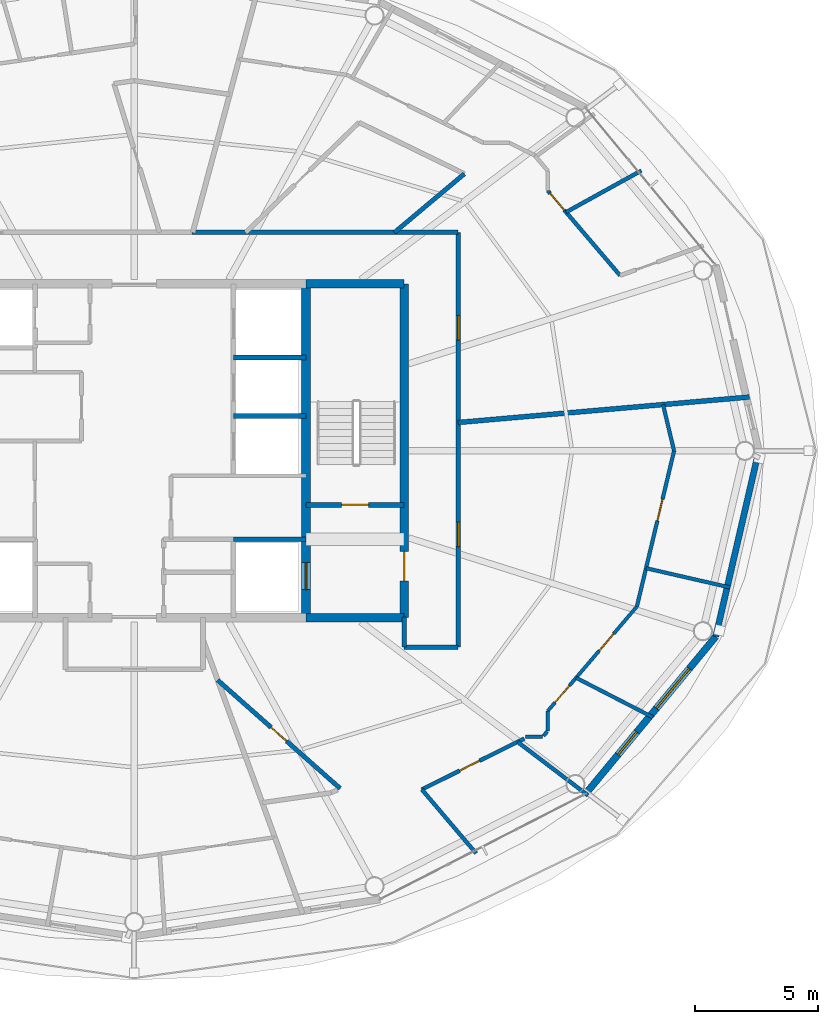
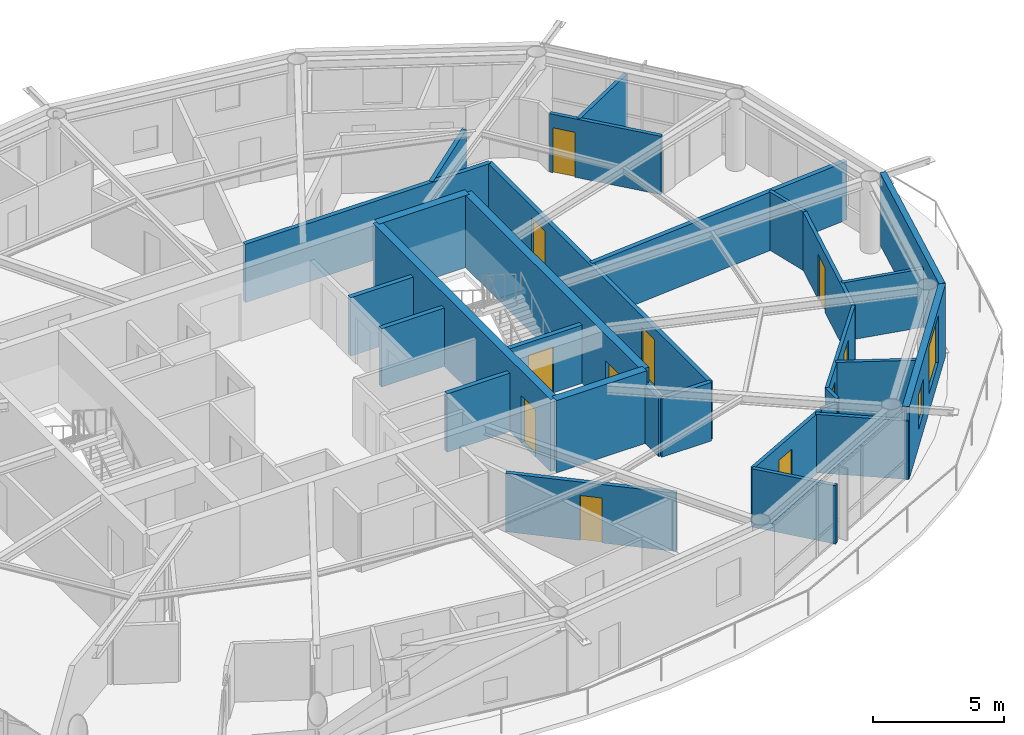
# One storey, part 18 of 23: 30 walls, 11 doors, 2 windows, 13 openings.
"""IFC4 building model written with IfcOpenShell, lengths in metres."""

from ifc_helpers import new_model, si_unit, direction, frame, frame_2d, origin, place, context, subcontext, project, spatial, rectangle, extrude, material, layer, layer_set, type_object, element, fill, save


model = new_model("IFC4")

# Units and contexts
model_context = context("Model", 3, precision=1e-05, world=origin(), true_north=direction((0.0, 1.0)))
body_context = subcontext(model_context, "Body", "Model", "MODEL_VIEW")
ifc_project = project(units=[si_unit("LENGTHUNIT", "METRE"), si_unit("AREAUNIT", "SQUARE_METRE"), si_unit("VOLUMEUNIT", "CUBIC_METRE"), si_unit("PLANEANGLEUNIT", "RADIAN"), si_unit("MASSUNIT", "GRAM", prefix="KILO")], contexts=[model_context])

# Site, building, storey
site_placement = place(None, origin())
site = spatial("IfcSite", under=ifc_project, at=site_placement, CompositionType="ELEMENT")
building_placement = place(site_placement, origin())
building = spatial("IfcBuilding", under=site, at=building_placement, Name="Sarneth Arch Tower", CompositionType="ELEMENT")
storey_placement = place(building_placement, frame((0.0, 0.0, 280.199951171875)))
storey = spatial("IfcBuildingStorey", under=building, at=storey_placement, Name="L72", CompositionType="ELEMENT", Elevation=280.199951171875)

# Walls
ifc_material_1 = material(Name="Concrete C50/60", Category="concrete")
ifc_layer_1 = layer(ifc_material_1, 0.35009765625)
ifc_layer_set_1 = layer_set([ifc_layer_1], Name="Concrete C50/60")
wall_type_1 = type_object("IfcWallType", Name="WALL-CORE-350", PredefinedType="SHEAR", material=ifc_layer_set_1)
for number, where, z_axis, x_axis, name in (
    (1, (55.0, 35.199951171875, 0.0), (0.0, 0.0, 1.0), (1.0, 0.0, 0.0), "L72 Core shear wall S-E"),
    (2, (55.0, 48.800048828125, 0.0), (0.0, 0.0, 1.0), (1.0, 0.0, 0.0), "L72 Core shear wall N-E"),
):
    element("IfcWall", number, at=place(storey_placement, frame(where, z_axis=z_axis, x_axis=x_axis)), inside=storey, type_object=wall_type_1, Name=name, PredefinedType="SHEAR", context=body_context, shape_type="SweptSolid", body=[
        extrude(rectangle(XDim=4.0, YDim=0.35009765625, at=frame_2d((2.0, 0.0))), origin(), (0.0, 0.0, 1.0), 3.3701171875),
    ])

# Wall, opening, door
wall_1_placement = place(storey_placement, frame((59.0, 35.199951171875, 0.0), z_axis=(0.0, 0.0, 1.0), x_axis=(0.0, 1.0, 0.0)))
wall_1 = element("IfcWall", 3, at=wall_1_placement, inside=storey, type_object=wall_type_1, Name="L72 Core shear wall E", PredefinedType="SHEAR", context=body_context, shape_type="SweptSolid", body=[
    extrude(rectangle(XDim=13.60009765625, YDim=0.35009765625, at=frame_2d((6.800048828125, 0.0))), origin(), (0.0, 0.0, 1.0), 3.3701171875),
])
opening_1_placement = place(wall_1_placement, frame((1.5, 0.0, 0.0)))
opening_1 = element("IfcOpeningElement", 4, at=opening_1_placement, cuts=wall_1, Name="Opening FD-02", PredefinedType="OPENING", context=body_context, shape_type="SweptSolid", body=[
    extrude(rectangle(XDim=1.199951171875, YDim=2.14990234375, at=frame_2d((0.60009765625, 1.074951171875))), frame((0.0, 0.18505859375, 0.0), z_axis=(0.0, -1.0, 0.0), x_axis=(1.0, 0.0, 0.0)), (0.0, 0.0, 1.0), 0.3701171875),
])
ifc_material_2 = material(Name="Galvanised Steel S275 fire door set", Category="steel")
door_type_1 = type_object("IfcDoorType", Name="DR-FD90-1200", OperationType="SINGLE_SWING_LEFT", PredefinedType="DOOR", material=ifc_material_2)
door_1_placement = place(opening_1_placement, origin())
door_1 = element("IfcDoor", 5, at=door_1_placement, inside=storey, type_object=door_type_1, Name="L72 Firefighting lobby 2 exit door", OperationType="SINGLE_SWING_RIGHT", OverallHeight=2.14990234375, OverallWidth=1.199951171875, PredefinedType="DOOR", context=body_context, shape_type="SweptSolid", body=[
    extrude(rectangle(XDim=1.199951171875, YDim=2.14990234375, at=frame_2d((0.60009765625, 1.074951171875))), frame((0.0, 0.02490234375, 0.0), z_axis=(0.0, -1.0, 0.0), x_axis=(1.0, 0.0, 0.0)), (0.0, 0.0, 1.0), 0.050048828125),
])
fill(opening_1, door_1)

wall_2_placement = place(storey_placement, frame((55.0, 35.199951171875, 0.0), z_axis=(0.0, 0.0, 1.0), x_axis=(0.0, 1.0, 0.0)))
wall_2 = element("IfcWall", 6, at=wall_2_placement, inside=storey, type_object=wall_type_1, Name="L72 Core shear wall WEB-E", PredefinedType="SHEAR", context=body_context, shape_type="SweptSolid", body=[
    extrude(rectangle(XDim=13.60009765625, YDim=0.35009765625, at=frame_2d((6.800048828125, 0.0))), origin(), (0.0, 0.0, 1.0), 3.3701171875),
])
opening_2_placement = place(wall_2_placement, frame((1.14990234375, 0.0, 0.0)))
opening_2 = element("IfcOpeningElement", 7, at=opening_2_placement, cuts=wall_2, Name="Opening LD-1", PredefinedType="OPENING", context=body_context, shape_type="SweptSolid", body=[
    extrude(rectangle(XDim=1.10009765625, YDim=2.199951171875, at=frame_2d((0.550048828125, 1.10009765625))), frame((0.0, 0.18505859375, 0.0), z_axis=(0.0, -1.0, 0.0), x_axis=(1.0, 0.0, 0.0)), (0.0, 0.0, 1.0), 0.3701171875),
])
ifc_material_3 = material(Name="Brushed Stainless Steel 304 lift landing door", Category="steel")
door_type_2 = type_object("IfcDoorType", Name="DR-LIFT-SLIDE-1100", OperationType="SLIDING_TO_LEFT", PredefinedType="DOOR", material=ifc_material_3)
door_2_placement = place(opening_2_placement, origin())
door_2 = element("IfcDoor", 8, at=door_2_placement, inside=storey, type_object=door_type_2, Name="L72 Firefighting lift landing door FL-2", OperationType="SLIDING_TO_RIGHT", OverallHeight=2.199951171875, OverallWidth=1.10009765625, PredefinedType="DOOR", context=body_context, shape_type="SweptSolid", body=[
    extrude(rectangle(XDim=1.10009765625, YDim=2.199951171875, at=frame_2d((0.550048828125, 1.10009765625))), frame((0.0, 0.02490234375, 0.0), z_axis=(0.0, -1.0, 0.0), x_axis=(1.0, 0.0, 0.0)), (0.0, 0.0, 1.0), 0.050048828125),
])
fill(opening_2, door_2)

# Wall, openings, doors
ifc_material_4 = material(Name="Double steel-stud corridor fire wall", Category="steel")
ifc_layer_2 = layer(ifc_material_4, 0.18994140625)
ifc_layer_set_2 = layer_set([ifc_layer_2], Name="Double steel-stud corridor fire wall")
wall_type_2 = type_object("IfcWallType", Name="WALL-CORR-190", PredefinedType="PARTITIONING", material=ifc_layer_set_2)
wall_3_placement = place(storey_placement, frame((61.199951171875, 50.89990234375, 0.0), z_axis=(0.0, 0.0, 1.0), x_axis=(0.0, -1.0, 0.0)))
wall_3 = element("IfcWall", 9, at=wall_3_placement, inside=storey, type_object=wall_type_2, Name="L72 Interior partition W-L72-TP-012", PredefinedType="PARTITIONING", context=body_context, shape_type="SweptSolid", body=[
    extrude(rectangle(XDim=16.89990234375, YDim=0.18994140625, at=frame_2d((8.449951171875, 0.0))), origin(), (0.0, 0.0, 1.0), 2.72998046875),
])
opening_3_placement = place(wall_3_placement, frame((11.806640625, 0.0, 0.0)))
opening_3 = element("IfcOpeningElement", 10, at=opening_3_placement, cuts=wall_3, Name="Opening FD-08", PredefinedType="OPENING", context=body_context, shape_type="SweptSolid", body=[
    extrude(rectangle(XDim=1.0, YDim=2.199951171875, at=frame_2d((0.5, 1.10009765625))), frame((0.0, 0.10498046875, 0.0), z_axis=(0.0, -1.0, 0.0), x_axis=(1.0, 0.0, 0.0)), (0.0, 0.0, 1.0), 0.2099609375),
])
opening_4_placement = place(wall_3_placement, frame((3.388671875, 0.0, 0.0)))
opening_4 = element("IfcOpeningElement", 11, at=opening_4_placement, cuts=wall_3, Name="Opening FD-08", PredefinedType="OPENING", context=body_context, shape_type="SweptSolid", body=[
    extrude(rectangle(XDim=1.0, YDim=2.199951171875, at=frame_2d((0.5, 1.10009765625))), frame((0.0, 0.10498046875, 0.0), z_axis=(0.0, -1.0, 0.0), x_axis=(1.0, 0.0, 0.0)), (0.0, 0.0, 1.0), 0.2099609375),
])
ifc_material_5 = material(Name="Hardwood timber acoustic fire door", Category="wood")
door_type_3 = type_object("IfcDoorType", Name="DR-FD60-1000", OperationType="SINGLE_SWING_LEFT", PredefinedType="DOOR", material=ifc_material_5)
door_3_placement = place(opening_3_placement, origin())
door_3 = element("IfcDoor", 12, at=door_3_placement, inside=storey, type_object=door_type_3, Name="L72 Interior door DR-L72-U5-ENT", OperationType="SINGLE_SWING_RIGHT", OverallHeight=2.199951171875, OverallWidth=1.0, PredefinedType="DOOR", context=body_context, shape_type="SweptSolid", body=[
    extrude(rectangle(XDim=1.0, YDim=2.199951171875, at=frame_2d((0.5, 1.10009765625))), frame((0.0, 0.02490234375, 0.0), z_axis=(0.0, -1.0, 0.0), x_axis=(1.0, 0.0, 0.0)), (0.0, 0.0, 1.0), 0.050048828125),
])
fill(opening_3, door_3)
door_4_placement = place(opening_4_placement, origin())
door_4 = element("IfcDoor", 13, at=door_4_placement, inside=storey, type_object=door_type_3, Name="L72 Interior door DR-L72-U1-ENT", OperationType="SINGLE_SWING_LEFT", OverallHeight=2.199951171875, OverallWidth=1.0, PredefinedType="DOOR", context=body_context, shape_type="SweptSolid", body=[
    extrude(rectangle(XDim=1.0, YDim=2.199951171875, at=frame_2d((0.5, 1.10009765625))), frame((0.0, 0.02490234375, 0.0), z_axis=(0.0, -1.0, 0.0), x_axis=(1.0, 0.0, 0.0)), (0.0, 0.0, 1.0), 0.050048828125),
])
fill(opening_4, door_4)

# Walls
wall_4_placement = place(storey_placement, frame((50.3515625, 50.89990234375, 0.0), z_axis=(0.0, 0.0, 1.0), x_axis=(1.0, 0.0, 0.0)))
element("IfcWall", 14, at=wall_4_placement, inside=storey, type_object=wall_type_2, Name="L72 Interior partition W-L72-TP-004", PredefinedType="PARTITIONING", context=body_context, shape_type="SweptSolid", body=[
    extrude(rectangle(XDim=10.848388671875, YDim=0.18994140625, at=frame_2d((5.42431640625, 0.0))), origin(), (0.0, 0.0, 1.0), 2.72998046875),
])
wall_5_placement = place(storey_placement, frame((61.199951171875, 34.0, 0.0), z_axis=(0.0, 0.0, 1.0), x_axis=(-1.0, 0.0, 0.0)))
element("IfcWall", 15, at=wall_5_placement, inside=storey, type_object=wall_type_2, Name="L72 Interior partition W-L72-TP-013", PredefinedType="PARTITIONING", context=body_context, shape_type="SweptSolid", body=[
    extrude(rectangle(XDim=2.199951171875, YDim=0.18994140625, at=frame_2d((1.10009765625, 0.0))), origin(), (0.0, 0.0, 1.0), 2.72998046875),
])
wall_6_placement = place(storey_placement, frame((59.0, 34.0, 0.0), z_axis=(0.0, 0.0, 1.0), x_axis=(0.0, 1.0, 0.0)))
element("IfcWall", 16, at=wall_6_placement, inside=storey, type_object=wall_type_2, Name="L72 Interior partition W-L72-TP-014", PredefinedType="PARTITIONING", context=body_context, shape_type="SweptSolid", body=[
    extrude(rectangle(XDim=1.23193359375, YDim=0.18994140625, at=frame_2d((0.615966796875, 0.0))), origin(), (0.0, 0.0, 1.0), 2.72998046875),
])
ifc_material_6 = material(Name="Extruded terracotta rainscreen on Concrete C40/50 backing", Category="masonry")
ifc_layer_3 = layer(ifc_material_6, 0.25)
ifc_layer_set_3 = layer_set([ifc_layer_3], Name="Extruded terracotta rainscreen on Concrete C40/50 backing")
wall_type_3 = type_object("IfcWallType", Name="WALL-EXT-SPAND-250", PredefinedType="SOLIDWALL", material=ifc_layer_set_3)
wall_7_placement = place(storey_placement, frame((71.69384765625, 34.430419921875, 0.0), z_axis=(0.0, 0.0, 1.0), x_axis=(0.225635078214, 0.974211892495, 0.0)))
element("IfcWall", 17, at=wall_7_placement, inside=storey, type_object=wall_type_3, Name="L72 Terracotta perimeter wall 16", PredefinedType="SOLIDWALL", context=body_context, shape_type="SweptSolid", body=[
    extrude(rectangle(XDim=7.77001953125, YDim=0.25, at=frame_2d((3.885009765625, 0.0))), origin(), (0.0, 0.0, 1.0), 3.3701171875),
])

# Wall, openings, windows
ifc_material_7 = material(Name="Extruded terracotta rainscreen on Concrete C40/50 backing", Category="masonry")
ifc_layer_4 = layer(ifc_material_7, 0.280029296875)
ifc_layer_set_4 = layer_set([ifc_layer_4], Name="Extruded terracotta rainscreen on Concrete C40/50 backing")
wall_type_4 = type_object("IfcWallType", Name="WALL-EXT-TERRA-280", PredefinedType="SOLIDWALL", material=ifc_layer_set_4)
wall_8_placement = place(storey_placement, frame((66.382568359375, 28.013427734375, 0.0), z_axis=(0.0, 0.0, 1.0), x_axis=(0.63761509934, 0.770355103243, 0.0)))
wall_8 = element("IfcWall", 18, at=wall_8_placement, inside=storey, type_object=wall_type_4, Name="L72 Terracotta perimeter wall 15", PredefinedType="SOLIDWALL", context=body_context, shape_type="SweptSolid", body=[
    extrude(rectangle(XDim=8.329833984375, YDim=0.280029296875, at=frame_2d((4.1650390625, 0.0))), origin(), (0.0, 0.0, 1.0), 3.3701171875),
])
opening_5_placement = place(wall_8_placement, frame((2.0859375, 0.0, 0.85009765625)))
opening_5 = element("IfcOpeningElement", 19, at=opening_5_placement, cuts=wall_8, Name="Opening W-10", PredefinedType="OPENING", context=body_context, shape_type="SweptSolid", body=[
    extrude(rectangle(XDim=1.199951171875, YDim=1.60009765625, at=frame_2d((0.60009765625, 0.800048828125))), frame((0.0, 0.14990234375, 0.0), z_axis=(0.0, -1.0, 0.0), x_axis=(1.0, 0.0, 0.0)), (0.0, 0.0, 1.0), 0.300048828125),
])
opening_6_placement = place(wall_8_placement, frame((4.541015625, 0.0, 0.85009765625)))
opening_6 = element("IfcOpeningElement", 20, at=opening_6_placement, cuts=wall_8, Name="Opening W-03", PredefinedType="OPENING", context=body_context, shape_type="SweptSolid", body=[
    extrude(rectangle(XDim=2.10009765625, YDim=2.199951171875, at=frame_2d((1.050048828125, 1.10009765625))), frame((0.0, 0.14990234375, 0.0), z_axis=(0.0, -1.0, 0.0), x_axis=(1.0, 0.0, 0.0)), (0.0, 0.0, 1.0), 0.300048828125),
])
ifc_material_8 = material(Name="Thermally broken Aluminium 6063-T6 and low-e laminated IGU", Category="aluminium")
window_type_1 = type_object("IfcWindowType", Name="WIN-TWR-1200x1600", PartitioningType="SINGLE_PANEL", PredefinedType="WINDOW", material=ifc_material_8)
window_1_placement = place(opening_5_placement, origin())
window_1 = element("IfcWindow", 21, at=window_1_placement, inside=storey, type_object=window_type_1, Name="L72 Exterior window 15A", OverallHeight=1.60009765625, OverallWidth=1.199951171875, PartitioningType="SINGLE_PANEL", PredefinedType="WINDOW", context=body_context, shape_type="SweptSolid", body=[
    extrude(rectangle(XDim=1.199951171875, YDim=1.60009765625, at=frame_2d((0.60009765625, 0.800048828125))), frame((0.0, 0.030029296875, 0.0), z_axis=(0.0, -1.0, 0.0), x_axis=(1.0, 0.0, 0.0)), (0.0, 0.0, 1.0), 0.06005859375),
])
fill(opening_5, window_1)
ifc_material_9 = material(Name="Thermally broken Aluminium 6063-T6 and low-e laminated IGU", Category="aluminium")
window_type_2 = type_object("IfcWindowType", Name="WIN-TWR-2100x2200", PartitioningType="DOUBLE_PANEL_VERTICAL", PredefinedType="WINDOW", material=ifc_material_9)
window_2_placement = place(opening_6_placement, origin())
window_2 = element("IfcWindow", 22, at=window_2_placement, inside=storey, type_object=window_type_2, Name="L72 Exterior window 15B", OverallHeight=2.199951171875, OverallWidth=2.10009765625, PartitioningType="SINGLE_PANEL", PredefinedType="WINDOW", context=body_context, shape_type="SweptSolid", body=[
    extrude(rectangle(XDim=2.10009765625, YDim=2.199951171875, at=frame_2d((1.050048828125, 1.10009765625))), frame((0.0, 0.030029296875, 0.0), z_axis=(0.0, -1.0, 0.0), x_axis=(1.0, 0.0, 0.0)), (0.0, 0.0, 1.0), 0.06005859375),
])
fill(opening_6, window_2)

# Wall, openings, doors
ifc_material_10 = material(Name="Apartment internal stud partition", Category="gypsum")
ifc_layer_5 = layer(ifc_material_10, 0.139892578125)
ifc_layer_set_5 = layer_set([ifc_layer_5], Name="Apartment internal stud partition")
wall_type_5 = type_object("IfcWallType", Name="WALL-PART-140", PredefinedType="PARTITIONING", material=ifc_layer_set_5)
wall_9_placement = place(storey_placement, frame((64.85009765625, 31.401123046875, 0.0), z_axis=(0.0, 0.0, 1.0), x_axis=(0.649208179997, 0.760610767097, 0.0)))
wall_9 = element("IfcWall", 23, at=wall_9_placement, inside=storey, type_object=wall_type_5, Name="L72 Interior partition W-L72-TP-091", PredefinedType="PARTITIONING", context=body_context, shape_type="SweptSolid", body=[
    extrude(rectangle(XDim=5.5927734375, YDim=0.139892578125, at=frame_2d((2.79638671875, 0.0))), origin(), (0.0, 0.0, 1.0), 2.72998046875),
])
opening_7_placement = place(wall_9_placement, frame((3.235107421875, 0.0, 0.0)))
opening_7 = element("IfcOpeningElement", 24, at=opening_7_placement, cuts=wall_9, Name="Opening ID-01", PredefinedType="OPENING", context=body_context, shape_type="SweptSolid", body=[
    extrude(rectangle(XDim=0.89990234375, YDim=2.10009765625, at=frame_2d((0.449951171875, 1.050048828125))), frame((0.0, 0.079833984375, 0.0), z_axis=(0.0, -1.0, 0.0), x_axis=(1.0, 0.0, 0.0)), (0.0, 0.0, 1.0), 0.159912109375),
])
opening_8_placement = place(wall_9_placement, frame((0.455078125, 0.0, 0.0)))
opening_8 = element("IfcOpeningElement", 25, at=opening_8_placement, cuts=wall_9, Name="Opening ID-01", PredefinedType="OPENING", context=body_context, shape_type="SweptSolid", body=[
    extrude(rectangle(XDim=0.89990234375, YDim=2.10009765625, at=frame_2d((0.449951171875, 1.050048828125))), frame((0.0, 0.079833984375, 0.0), z_axis=(0.0, -1.0, 0.0), x_axis=(1.0, 0.0, 0.0)), (0.0, 0.0, 1.0), 0.159912109375),
])
ifc_material_11 = material(Name="Engineered hardwood flush door", Category="wood")
door_type_4 = type_object("IfcDoorType", Name="DR-INT-900", OperationType="SINGLE_SWING_LEFT", PredefinedType="DOOR", material=ifc_material_11)
door_5_placement = place(opening_7_placement, origin())
door_5 = element("IfcDoor", 26, at=door_5_placement, inside=storey, type_object=door_type_4, Name="L72 Interior door DR-L72-U5-BED2", OperationType="SINGLE_SWING_LEFT", OverallHeight=2.10009765625, OverallWidth=0.89990234375, PredefinedType="DOOR", context=body_context, shape_type="SweptSolid", body=[
    extrude(rectangle(XDim=0.89990234375, YDim=2.10009765625, at=frame_2d((0.449951171875, 1.050048828125))), frame((0.0, 0.02490234375, 0.0), z_axis=(0.0, -1.0, 0.0), x_axis=(1.0, 0.0, 0.0)), (0.0, 0.0, 1.0), 0.050048828125),
])
fill(opening_7, door_5)
door_6_placement = place(opening_8_placement, origin())
door_6 = element("IfcDoor", 27, at=door_6_placement, inside=storey, type_object=door_type_4, Name="L72 Interior door DR-L72-U5-BED1", OperationType="SINGLE_SWING_RIGHT", OverallHeight=2.10009765625, OverallWidth=0.89990234375, PredefinedType="DOOR", context=body_context, shape_type="SweptSolid", body=[
    extrude(rectangle(XDim=0.89990234375, YDim=2.10009765625, at=frame_2d((0.449951171875, 1.050048828125))), frame((0.0, 0.02490234375, 0.0), z_axis=(0.0, -1.0, 0.0), x_axis=(1.0, 0.0, 0.0)), (0.0, 0.0, 1.0), 0.050048828125),
])
fill(opening_8, door_6)

# Wall, opening, door
ifc_material_12 = material(Name="Acoustic gypsum stud partition", Category="gypsum")
ifc_layer_6 = layer(ifc_material_12, 0.14990234375)
ifc_layer_set_6 = layer_set([ifc_layer_6], Name="Acoustic gypsum stud partition")
wall_type_6 = type_object("IfcWallType", Name="WALL-PART-150", PredefinedType="PARTITIONING", material=ifc_layer_set_6)
wall_10_placement = place(storey_placement, frame((69.996337890625, 42.0, 0.0), z_axis=(0.0, 0.0, 1.0), x_axis=(-0.232298462197, -0.972644551962, 0.0)))
wall_10 = element("IfcWall", 28, at=wall_10_placement, inside=storey, type_object=wall_type_6, Name="L72 Interior partition W-L72-TP-094", PredefinedType="PARTITIONING", context=body_context, shape_type="SweptSolid", body=[
    extrude(rectangle(XDim=6.5234375, YDim=0.14990234375, at=frame_2d((3.26171875, 0.0))), origin(), (0.0, 0.0, 1.0), 2.72998046875),
])
opening_9_placement = place(wall_10_placement, frame((2.024169921875, 0.0, 0.0)))
opening_9 = element("IfcOpeningElement", 29, at=opening_9_placement, cuts=wall_10, Name="Opening ID-01", PredefinedType="OPENING", context=body_context, shape_type="SweptSolid", body=[
    extrude(rectangle(XDim=0.89990234375, YDim=2.10009765625, at=frame_2d((0.449951171875, 1.050048828125))), frame((0.0, 0.0849609375, 0.0), z_axis=(0.0, -1.0, 0.0), x_axis=(1.0, 0.0, 0.0)), (0.0, 0.0, 1.0), 0.169921875),
])
door_7_placement = place(opening_9_placement, origin())
door_7 = element("IfcDoor", 30, at=door_7_placement, inside=storey, type_object=door_type_4, Name="L72 Interior door DR-L72-U5-BED3", OperationType="SINGLE_SWING_LEFT", OverallHeight=2.10009765625, OverallWidth=0.89990234375, PredefinedType="DOOR", context=body_context, shape_type="SweptSolid", body=[
    extrude(rectangle(XDim=0.89990234375, YDim=2.10009765625, at=frame_2d((0.449951171875, 1.050048828125))), frame((0.0, 0.02490234375, 0.0), z_axis=(0.0, -1.0, 0.0), x_axis=(1.0, 0.0, 0.0)), (0.0, 0.0, 1.0), 0.050048828125),
])
fill(opening_9, door_7)

# Walls
wall_11_placement = place(storey_placement, frame((72.280517578125, 36.432373046875, 0.0), z_axis=(0.0, 0.0, 1.0), x_axis=(-0.974703956651, 0.223499881182, 0.0)))
element("IfcWall", 31, at=wall_11_placement, inside=storey, type_object=wall_type_6, Name="L72 Interior partition W-L72-TP-097", PredefinedType="PARTITIONING", context=body_context, shape_type="SweptSolid", body=[
    extrude(rectangle(XDim=3.51513671875, YDim=0.14990234375, at=frame_2d((1.757568359375, 0.0))), origin(), (0.0, 0.0, 1.0), 2.72998046875),
])
wall_12_placement = place(storey_placement, frame((69.128662109375, 31.147705078125, 0.0), z_axis=(0.0, 0.0, 1.0), x_axis=(-0.889538013169, 0.456861163951, 0.0)))
element("IfcWall", 32, at=wall_12_placement, inside=storey, type_object=wall_type_6, Name="L72 Interior partition W-L72-TP-096", PredefinedType="PARTITIONING", context=body_context, shape_type="SweptSolid", body=[
    extrude(rectangle(XDim=3.512939453125, YDim=0.14990234375, at=frame_2d((1.75634765625, 0.0))), origin(), (0.0, 0.0, 1.0), 2.72998046875),
])
wall_13_placement = place(storey_placement, frame((69.546142578125, 43.885009765625, 0.0), z_axis=(0.0, 0.0, 1.0), x_axis=(0.232296027223, -0.972645133508, 0.0)))
element("IfcWall", 33, at=wall_13_placement, inside=storey, type_object=wall_type_6, Name="L72 Interior partition W-L72-TP-093", PredefinedType="PARTITIONING", context=body_context, shape_type="SweptSolid", body=[
    extrude(rectangle(XDim=1.93798828125, YDim=0.14990234375, at=frame_2d((0.968994140625, 0.0))), origin(), (0.0, 0.0, 1.0), 2.72998046875),
])
wall_14_placement = place(storey_placement, frame((64.85009765625, 31.401123046875, 0.0), z_axis=(0.0, 0.0, 1.0), x_axis=(0.0, -1.0, 0.0)))
element("IfcWall", 34, at=wall_14_placement, inside=storey, type_object=wall_type_6, Name="L72 Interior partition W-L72-TP-087", PredefinedType="PARTITIONING", context=body_context, shape_type="SweptSolid", body=[
    extrude(rectangle(XDim=0.8115234375, YDim=0.14990234375, at=frame_2d((0.40576171875, 0.0))), origin(), (0.0, 0.0, 1.0), 2.72998046875),
])
wall_15_placement = place(storey_placement, frame((64.6455078125, 30.35009765625, 0.0), z_axis=(0.0, 0.0, 1.0), x_axis=(-1.0, 0.0, 0.0)))
element("IfcWall", 35, at=wall_15_placement, inside=storey, type_object=wall_type_6, Name="L72 Interior partition W-L72-TP-089", PredefinedType="PARTITIONING", context=body_context, shape_type="SweptSolid", body=[
    extrude(rectangle(XDim=0.692626953125, YDim=0.14990234375, at=frame_2d((0.34619140625, 0.0))), origin(), (0.0, 0.0, 1.0), 2.72998046875),
])
wall_16_placement = place(storey_placement, frame((64.823974609375, 30.559326171875, 0.0), z_axis=(0.0, 0.0, 1.0), x_axis=(-0.648874632887, -0.760895334981, 0.0)))
element("IfcWall", 36, at=wall_16_placement, inside=storey, type_object=wall_type_6, Name="L72 Interior partition W-L72-TP-088", PredefinedType="PARTITIONING", context=body_context, shape_type="SweptSolid", body=[
    extrude(rectangle(XDim=0.23095703125, YDim=0.14990234375, at=frame_2d((0.115478515625, 0.0))), origin(), (0.0, 0.0, 1.0), 2.72998046875),
])

# Wall, opening, door
ifc_material_13 = material(Name="Kitchen wet service chase wall", Category="gypsum")
ifc_layer_7 = layer(ifc_material_13, 0.159912109375)
ifc_layer_set_7 = layer_set([ifc_layer_7], Name="Kitchen wet service chase wall")
wall_type_7 = type_object("IfcWallType", Name="WALL-PLUMB-160", PredefinedType="PLUMBINGWALL", material=ifc_layer_set_7)
wall_17_placement = place(storey_placement, frame((59.71826171875, 28.203857421875, 0.0), z_axis=(0.0, 0.0, 1.0), x_axis=(0.895587741002, 0.444884926882, 0.0)))
wall_17 = element("IfcWall", 37, at=wall_17_placement, inside=storey, type_object=wall_type_7, Name="L72 Interior partition W-L72-TP-082", PredefinedType="PLUMBINGWALL", context=body_context, shape_type="SweptSolid", body=[
    extrude(rectangle(XDim=4.657958984375, YDim=0.159912109375, at=frame_2d((2.3291015625, 0.0))), origin(), (0.0, 0.0, 1.0), 2.72998046875),
])
opening_10_placement = place(wall_17_placement, frame((1.727783203125, 0.0, 0.0)))
opening_10 = element("IfcOpeningElement", 38, at=opening_10_placement, cuts=wall_17, Name="Opening ID-01", PredefinedType="OPENING", context=body_context, shape_type="SweptSolid", body=[
    extrude(rectangle(XDim=0.89990234375, YDim=2.10009765625, at=frame_2d((0.449951171875, 1.050048828125))), frame((0.0, 0.08984375, 0.0), z_axis=(0.0, -1.0, 0.0), x_axis=(1.0, 0.0, 0.0)), (0.0, 0.0, 1.0), 0.179931640625),
])
door_8_placement = place(opening_10_placement, origin())
door_8 = element("IfcDoor", 39, at=door_8_placement, inside=storey, type_object=door_type_4, Name="L72 Interior door DR-L72-U5-KIT", OperationType="SINGLE_SWING_LEFT", OverallHeight=2.10009765625, OverallWidth=0.89990234375, PredefinedType="DOOR", context=body_context, shape_type="SweptSolid", body=[
    extrude(rectangle(XDim=0.89990234375, YDim=2.10009765625, at=frame_2d((0.449951171875, 1.050048828125))), frame((0.0, 0.02490234375, 0.0), z_axis=(0.0, -1.0, 0.0), x_axis=(1.0, 0.0, 0.0)), (0.0, 0.0, 1.0), 0.050048828125),
])
fill(opening_10, door_8)

# Walls
wall_18_placement = place(storey_placement, frame((63.619140625, 30.1416015625, 0.0), z_axis=(0.0, 0.0, 1.0), x_axis=(0.796471054337, -0.604676657068, 0.0)))
element("IfcWall", 40, at=wall_18_placement, inside=storey, type_object=wall_type_7, Name="L72 Interior partition W-L72-TP-095", PredefinedType="PLUMBINGWALL", context=body_context, shape_type="SweptSolid", body=[
    extrude(rectangle(XDim=3.608642578125, YDim=0.159912109375, at=frame_2d((1.80419921875, 0.0))), origin(), (0.0, 0.0, 1.0), 2.72998046875),
])
wall_19_placement = place(storey_placement, frame((65.596923828125, 51.7236328125, 0.0), z_axis=(0.0, 0.0, 1.0), x_axis=(0.875279589691, 0.483617245216, 0.0)))
element("IfcWall", 41, at=wall_19_placement, inside=storey, type_object=wall_type_7, Name="L72 Interior partition W-L72-TP-037", PredefinedType="PLUMBINGWALL", context=body_context, shape_type="SweptSolid", body=[
    extrude(rectangle(XDim=3.501953125, YDim=0.159912109375, at=frame_2d((1.7509765625, 0.0))), origin(), (0.0, 0.0, 1.0), 2.72998046875),
])
wall_20_placement = place(storey_placement, frame((61.92919921875, 25.600830078125, 0.0), z_axis=(0.0, 0.0, 1.0), x_axis=(-0.64737032118, 0.762175614446, 0.0)))
element("IfcWall", 42, at=wall_20_placement, inside=storey, type_object=wall_type_7, Name="L72 Interior partition W-L72-TP-081", PredefinedType="PLUMBINGWALL", context=body_context, shape_type="SweptSolid", body=[
    extrude(rectangle(XDim=3.415283203125, YDim=0.159912109375, at=frame_2d((1.70751953125, 0.0))), origin(), (0.0, 0.0, 1.0), 2.72998046875),
])

# Wall, opening, door
wall_21_placement = place(storey_placement, frame((67.798583984375, 49.144287109375, 0.0), z_axis=(0.0, 0.0, 1.0), x_axis=(-0.649191845301, 0.760624709035, 0.0)))
wall_21 = element("IfcWall", 43, at=wall_21_placement, inside=storey, type_object=wall_type_7, Name="L72 Interior partition W-L72-TP-023", PredefinedType="PLUMBINGWALL", context=body_context, shape_type="SweptSolid", body=[
    extrude(rectangle(XDim=4.541748046875, YDim=0.159912109375, at=frame_2d((2.27099609375, 0.0))), origin(), (0.0, 0.0, 1.0), 2.72998046875),
])
opening_11_placement = place(wall_21_placement, frame((3.500244140625, 0.0, 0.0)))
opening_11 = element("IfcOpeningElement", 44, at=opening_11_placement, cuts=wall_21, Name="Opening ID-01", PredefinedType="OPENING", context=body_context, shape_type="SweptSolid", body=[
    extrude(rectangle(XDim=0.89990234375, YDim=2.10009765625, at=frame_2d((0.449951171875, 1.050048828125))), frame((0.0, 0.08984375, 0.0), z_axis=(0.0, -1.0, 0.0), x_axis=(1.0, 0.0, 0.0)), (0.0, 0.0, 1.0), 0.179931640625),
])
door_9_placement = place(opening_11_placement, origin())
door_9 = element("IfcDoor", 45, at=door_9_placement, inside=storey, type_object=door_type_4, Name="L72 Interior door DR-L72-U1-STD", OperationType="SINGLE_SWING_LEFT", OverallHeight=2.10009765625, OverallWidth=0.89990234375, PredefinedType="DOOR", context=body_context, shape_type="SweptSolid", body=[
    extrude(rectangle(XDim=0.89990234375, YDim=2.10009765625, at=frame_2d((0.449951171875, 1.050048828125))), frame((0.0, 0.02490234375, 0.0), z_axis=(0.0, -1.0, 0.0), x_axis=(1.0, 0.0, 0.0)), (0.0, 0.0, 1.0), 0.050048828125),
])
fill(opening_11, door_9)

ifc_material_14 = material(Name="Moisture-resistant plumbing chase wall", Category="gypsum")
ifc_layer_8 = layer(ifc_material_14, 0.179931640625)
ifc_layer_set_8 = layer_set([ifc_layer_8], Name="Moisture-resistant plumbing chase wall")
wall_type_8 = type_object("IfcWallType", Name="WALL-PLUMB-180", PredefinedType="PLUMBINGWALL", material=ifc_layer_set_8)
wall_22_placement = place(storey_placement, frame((56.389404296875, 28.24609375, 0.0), z_axis=(0.0, 0.0, 1.0), x_axis=(-0.749087509224, 0.662471058632, 0.0)))
wall_22 = element("IfcWall", 46, at=wall_22_placement, inside=storey, type_object=wall_type_8, Name="L72 Interior partition W-L72-TP-085", PredefinedType="PLUMBINGWALL", context=body_context, shape_type="SweptSolid", body=[
    extrude(rectangle(XDim=6.660400390625, YDim=0.179931640625, at=frame_2d((3.330078125, 0.0))), origin(), (0.0, 0.0, 1.0), 2.72998046875),
])
opening_12_placement = place(wall_22_placement, frame((2.9052734375, 0.0, 0.0)))
opening_12 = element("IfcOpeningElement", 47, at=opening_12_placement, cuts=wall_22, Name="Opening ID-02", PredefinedType="OPENING", context=body_context, shape_type="SweptSolid", body=[
    extrude(rectangle(XDim=0.85009765625, YDim=2.10009765625, at=frame_2d((0.425048828125, 1.050048828125))), frame((0.0, 0.099853515625, 0.0), z_axis=(0.0, -1.0, 0.0), x_axis=(1.0, 0.0, 0.0)), (0.0, 0.0, 1.0), 0.199951171875),
])
ifc_material_15 = material(Name="Moisture-resistant bathroom timber door", Category="wood")
door_type_5 = type_object("IfcDoorType", Name="DR-INT-850", OperationType="SINGLE_SWING_RIGHT", PredefinedType="DOOR", material=ifc_material_15)
door_10_placement = place(opening_12_placement, origin())
door_10 = element("IfcDoor", 48, at=door_10_placement, inside=storey, type_object=door_type_5, Name="L72 Interior door DR-L72-U5-BATH", OperationType="SINGLE_SWING_LEFT", OverallHeight=2.10009765625, OverallWidth=0.85009765625, PredefinedType="DOOR", context=body_context, shape_type="SweptSolid", body=[
    extrude(rectangle(XDim=0.85009765625, YDim=2.10009765625, at=frame_2d((0.425048828125, 1.050048828125))), frame((0.0, 0.02490234375, 0.0), z_axis=(0.0, -1.0, 0.0), x_axis=(1.0, 0.0, 0.0)), (0.0, 0.0, 1.0), 0.050048828125),
])
fill(opening_12, door_10)

# Wall
wall_23_placement = place(storey_placement, frame((58.606689453125, 50.89990234375, 0.0), z_axis=(0.0, 0.0, 1.0), x_axis=(0.766018186203, 0.642818900163, 0.0)))
element("IfcWall", 49, at=wall_23_placement, inside=storey, type_object=wall_type_8, Name="L72 Interior partition W-L72-TP-024", PredefinedType="PLUMBINGWALL", context=body_context, shape_type="SweptSolid", body=[
    extrude(rectangle(XDim=3.713623046875, YDim=0.179931640625, at=frame_2d((1.85693359375, 0.0))), origin(), (0.0, 0.0, 1.0), 2.72998046875),
])

# Wall, opening, door
ifc_material_16 = material(Name="Aerated concrete blockwork C25/30", Category="masonry")
ifc_layer_9 = layer(ifc_material_16, 0.199951171875)
ifc_layer_set_9 = layer_set([ifc_layer_9], Name="Aerated concrete blockwork C25/30")
wall_type_9 = type_object("IfcWallType", Name="WALL-SHAFT-200", PredefinedType="SOLIDWALL", material=ifc_layer_set_9)
wall_24_placement = place(storey_placement, frame((55.0, 39.800048828125, 0.0), z_axis=(0.0, 0.0, 1.0), x_axis=(1.0, 0.0, 0.0)))
wall_24 = element("IfcWall", 50, at=wall_24_placement, inside=storey, type_object=wall_type_9, Name="L72 Interior partition W-L72-ST2-S", PredefinedType="SOLIDWALL", context=body_context, shape_type="SweptSolid", body=[
    extrude(rectangle(XDim=4.0, YDim=0.199951171875, at=frame_2d((2.0, 0.0))), origin(), (0.0, 0.0, 1.0), 2.72998046875),
])
opening_13_placement = place(wall_24_placement, frame((1.449951171875, 0.0, 0.0)))
opening_13 = element("IfcOpeningElement", 51, at=opening_13_placement, cuts=wall_24, Name="Opening FD-03", PredefinedType="OPENING", context=body_context, shape_type="SweptSolid", body=[
    extrude(rectangle(XDim=1.10009765625, YDim=2.14990234375, at=frame_2d((0.550048828125, 1.074951171875))), frame((0.0, 0.10986328125, 0.0), z_axis=(0.0, -1.0, 0.0), x_axis=(1.0, 0.0, 0.0)), (0.0, 0.0, 1.0), 0.219970703125),
])
ifc_material_17 = material(Name="Galvanised Steel S275 fire door set", Category="steel")
door_type_6 = type_object("IfcDoorType", Name="DR-FD90-1100", OperationType="SINGLE_SWING_LEFT", PredefinedType="DOOR", material=ifc_material_17)
door_11_placement = place(opening_13_placement, origin())
door_11 = element("IfcDoor", 52, at=door_11_placement, inside=storey, type_object=door_type_6, Name="L72 Interior door DR-L72-ST2", OperationType="SINGLE_SWING_RIGHT", OverallHeight=2.14990234375, OverallWidth=1.10009765625, PredefinedType="DOOR", context=body_context, shape_type="SweptSolid", body=[
    extrude(rectangle(XDim=1.10009765625, YDim=2.14990234375, at=frame_2d((0.550048828125, 1.074951171875))), frame((0.0, 0.02490234375, 0.0), z_axis=(0.0, -1.0, 0.0), x_axis=(1.0, 0.0, 0.0)), (0.0, 0.0, 1.0), 0.050048828125),
])
fill(opening_13, door_11)

# Walls
for number, where, z_axis, x_axis, name in (
    (53, (52.050048828125, 38.39990234375, 0.0), (0.0, 0.0, 1.0), (1.0, 0.0, 0.0), "L72 Interior partition W-L72-FL2-N"),
    (54, (52.050048828125, 43.419921875, 0.0), (0.0, 0.0, 1.0), (1.0, 0.0, 0.0), "L72 Interior partition W-L72-EB-DIV-4342"),
    (55, (52.050048828125, 45.800048828125, 0.0), (0.0, 0.0, 1.0), (1.0, 0.0, 0.0), "L72 Interior partition W-L72-EB-DIV-4580"),
):
    element("IfcWall", number, at=place(storey_placement, frame(where, z_axis=z_axis, x_axis=x_axis)), inside=storey, type_object=wall_type_9, Name=name, PredefinedType="SOLIDWALL", context=body_context, shape_type="SweptSolid", body=[
        extrude(rectangle(XDim=2.949951171875, YDim=0.199951171875, at=frame_2d((1.47509765625, 0.0))), origin(), (0.0, 0.0, 1.0), 2.72998046875),
    ])
ifc_material_18 = material(Name="Double steel-stud acoustic drywall", Category="steel")
ifc_layer_10 = layer(ifc_material_18, 0.199951171875)
ifc_layer_set_10 = layer_set([ifc_layer_10], Name="Double steel-stud acoustic drywall")
wall_type_10 = type_object("IfcWallType", Name="WALL-UNIT-200", PredefinedType="PARTITIONING", material=ifc_layer_set_10)
wall_25_placement = place(storey_placement, frame((73.06103515625, 44.1923828125, 0.0), z_axis=(0.0, 0.0, 1.0), x_axis=(-0.996195520097, -0.087146346673, 0.0)))
element("IfcWall", 56, at=wall_25_placement, inside=storey, type_object=wall_type_10, Name="L72 Interior partition W-L72-TP-035", PredefinedType="PARTITIONING", context=body_context, shape_type="SweptSolid", body=[
    extrude(rectangle(XDim=11.906494140625, YDim=0.199951171875, at=frame_2d((5.953125, 0.0))), origin(), (0.0, 0.0, 1.0), 2.72998046875),
])

save(model, "model.ifc")
